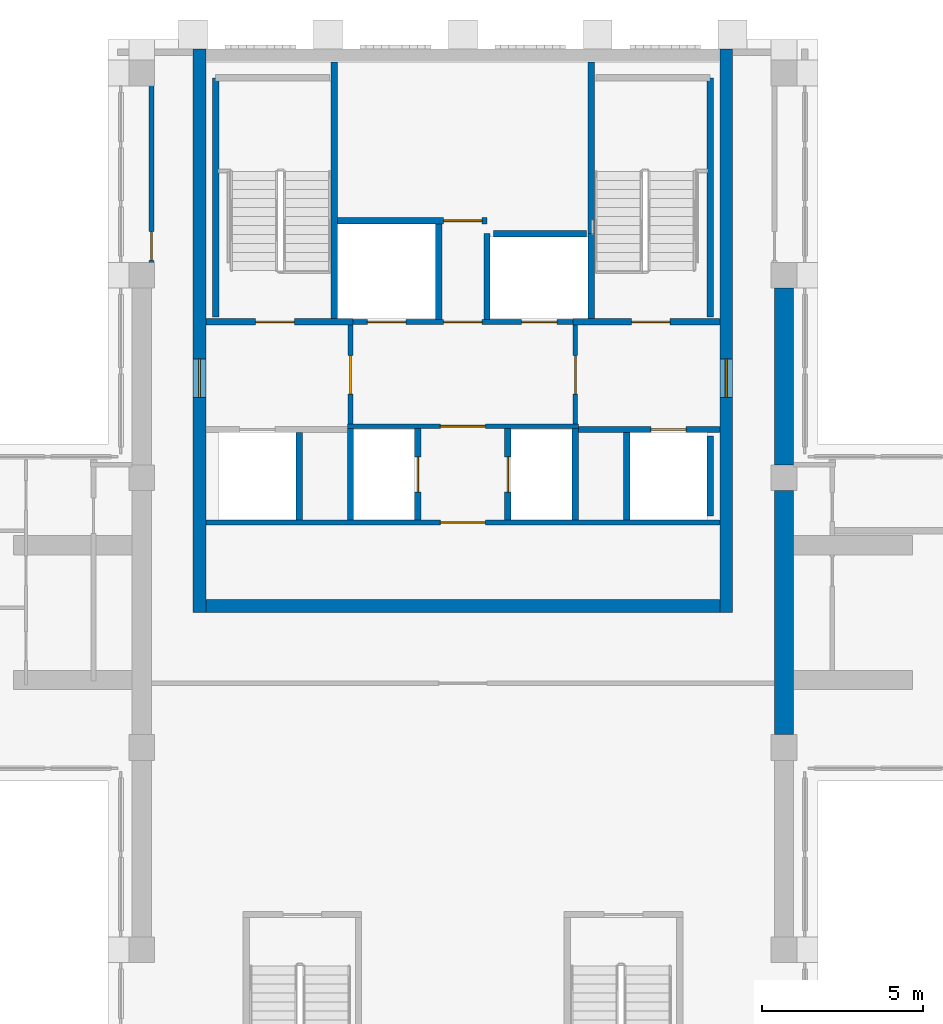
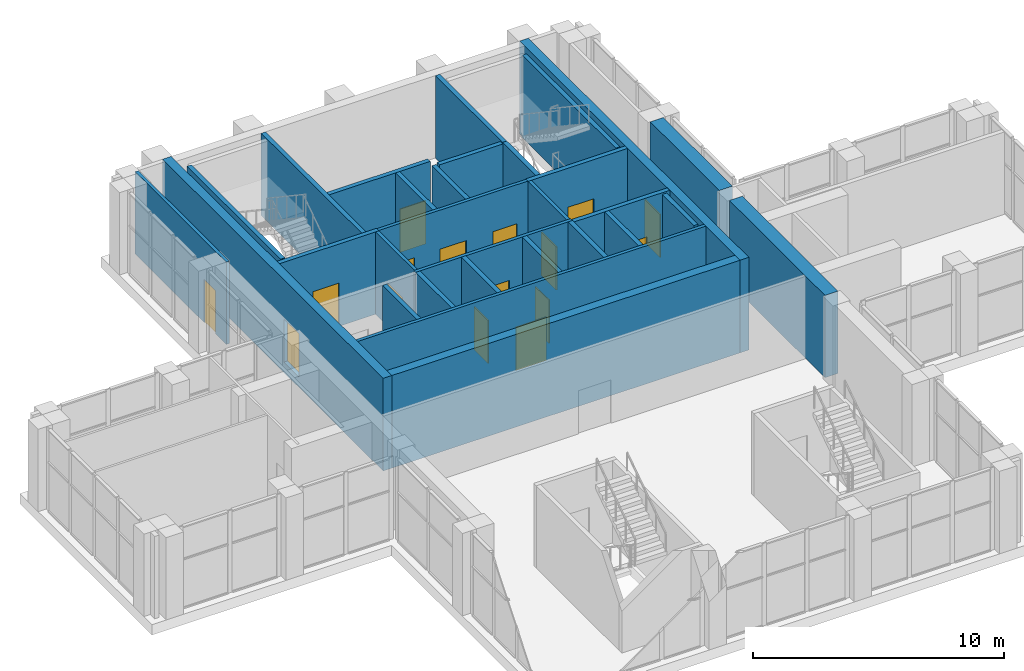
# One storey, part 10 of 15: 30 walls, 16 doors, 16 openings.
"""IFC4 building model written with IfcOpenShell, lengths in metres."""

from ifc_helpers import new_model, si_unit, direction, frame, frame_2d, origin, place, context, subcontext, project, spatial, rectangle, extrude, material, layer, layer_set, type_object, element, fill, save


model = new_model("IFC4")

# Units and contexts
model_context = context("Model", 3, precision=1e-05, world=origin(), true_north=direction((0.0, 1.0)))
body_context = subcontext(model_context, "Body", "Model", "MODEL_VIEW")
ifc_project = project(units=[si_unit("LENGTHUNIT", "METRE"), si_unit("AREAUNIT", "SQUARE_METRE"), si_unit("VOLUMEUNIT", "CUBIC_METRE"), si_unit("PLANEANGLEUNIT", "RADIAN"), si_unit("MASSUNIT", "GRAM", prefix="KILO")], contexts=[model_context])

# Site, building, storey
site_placement = place(None, origin())
site = spatial("IfcSite", under=ifc_project, at=site_placement, CompositionType="ELEMENT")
building_placement = place(site_placement, origin())
building = spatial("IfcBuilding", under=site, at=building_placement, Name="Vermilion Ogive Tower", CompositionType="ELEMENT")
storey_placement = place(building_placement, frame((0.0, 0.0, 293.85009765625)))
storey = spatial("IfcBuildingStorey", under=building, at=storey_placement, Name="L76", CompositionType="ELEMENT", Elevation=293.85009765625)

# Wall, opening, door
ifc_material_1 = material(Name="Concrete B60", Category="concrete")
ifc_layer_1 = layer(ifc_material_1, 0.39990234375)
ifc_layer_set_1 = layer_set([ifc_layer_1], Name="Core wall 400 B60")
wall_type_1 = type_object("IfcWallType", Name="Core wall 400 B60", PredefinedType="SHEAR", material=ifc_layer_set_1)
wall_1_placement = place(storey_placement, frame((8.199951171875, 4.199951171875, -0.5), z_axis=(0.0, 0.0, 1.0), x_axis=(0.0, 1.0, 0.0)))
wall_1 = element("IfcWall", 1, at=wall_1_placement, inside=storey, type_object=wall_type_1, Name="L76-CORE-E", PredefinedType="SHEAR", context=body_context, shape_type="SweptSolid", body=[
    extrude(rectangle(XDim=17.550048828125, YDim=0.39990234375, at=frame_2d((8.77490234375, 0.0))), origin(), (0.0, 0.0, 1.0), 4.5),
])
opening_1_placement = place(wall_1_placement, frame((6.699951171875, 0.0, 0.5)))
opening_1 = element("IfcOpeningElement", 2, at=opening_1_placement, cuts=wall_1, Name="Opening DAY006", PredefinedType="OPENING", context=body_context, shape_type="SweptSolid", body=[
    extrude(rectangle(XDim=1.199951171875, YDim=2.10009765625, at=frame_2d((0.60009765625, 1.050048828125))), frame((0.0, 0.2099609375, 0.0), z_axis=(0.0, -1.0, 0.0), x_axis=(1.0, 0.0, 0.0)), (0.0, 0.0, 1.0), 0.419921875),
])
ifc_material_2 = material(Name="Timber door leaf", Category="wood")
door_type_1 = type_object("IfcDoorType", Name="Link door 1200 x 2100 FD60S", OperationType="SINGLE_SWING_LEFT", PredefinedType="DOOR", material=ifc_material_2)
door_1_placement = place(opening_1_placement, origin())
door_1 = element("IfcDoor", 3, at=door_1_placement, inside=storey, type_object=door_type_1, Name="L76-CK-XD2", OperationType="SINGLE_SWING_LEFT", OverallHeight=2.10009765625, OverallWidth=1.199951171875, PredefinedType="DOOR", context=body_context, shape_type="SweptSolid", body=[
    extrude(rectangle(XDim=1.199951171875, YDim=2.10009765625, at=frame_2d((0.60009765625, 1.050048828125))), frame((0.0, 0.02490234375, 0.0), z_axis=(0.0, -1.0, 0.0), x_axis=(1.0, 0.0, 0.0)), (0.0, 0.0, 1.0), 0.050048828125),
])
fill(opening_1, door_1)

wall_2_placement = place(storey_placement, frame((-8.199951171875, 4.199951171875, -0.5), z_axis=(0.0, 0.0, 1.0), x_axis=(0.0, 1.0, 0.0)))
wall_2 = element("IfcWall", 4, at=wall_2_placement, inside=storey, type_object=wall_type_1, Name="L76-CORE-W", PredefinedType="SHEAR", context=body_context, shape_type="SweptSolid", body=[
    extrude(rectangle(XDim=17.550048828125, YDim=0.39990234375, at=frame_2d((8.77490234375, 0.0))), origin(), (0.0, 0.0, 1.0), 4.5),
])
opening_2_placement = place(wall_2_placement, frame((6.699951171875, 0.0, 0.5)))
opening_2 = element("IfcOpeningElement", 5, at=opening_2_placement, cuts=wall_2, Name="Opening DAZ006", PredefinedType="OPENING", context=body_context, shape_type="SweptSolid", body=[
    extrude(rectangle(XDim=1.199951171875, YDim=2.10009765625, at=frame_2d((0.60009765625, 1.050048828125))), frame((0.0, 0.2099609375, 0.0), z_axis=(0.0, -1.0, 0.0), x_axis=(1.0, 0.0, 0.0)), (0.0, 0.0, 1.0), 0.419921875),
])
door_2_placement = place(opening_2_placement, origin())
door_2 = element("IfcDoor", 6, at=door_2_placement, inside=storey, type_object=door_type_1, Name="L76-CK-XD1", OperationType="SINGLE_SWING_LEFT", OverallHeight=2.10009765625, OverallWidth=1.199951171875, PredefinedType="DOOR", context=body_context, shape_type="SweptSolid", body=[
    extrude(rectangle(XDim=1.199951171875, YDim=2.10009765625, at=frame_2d((0.60009765625, 1.050048828125))), frame((0.0, 0.02490234375, 0.0), z_axis=(0.0, -1.0, 0.0), x_axis=(1.0, 0.0, 0.0)), (0.0, 0.0, 1.0), 0.050048828125),
])
fill(opening_2, door_2)

# Wall
wall_3_placement = place(storey_placement, frame((-8.0, 4.39990234375, -0.5), z_axis=(0.0, 0.0, 1.0), x_axis=(1.0, 0.0, 0.0)))
element("IfcWall", 7, at=wall_3_placement, inside=storey, type_object=wall_type_1, Name="L76-CORE-S", PredefinedType="SHEAR", context=body_context, shape_type="SweptSolid", body=[
    extrude(rectangle(XDim=16.0, YDim=0.39990234375, at=frame_2d((8.0, 0.0))), origin(), (0.0, 0.0, 1.0), 4.5),
])

# Wall, opening, door
ifc_material_3 = material(Name="Gypsum board partition on steel studs", Category="steel")
ifc_layer_2 = layer(ifc_material_3, 0.14990234375)
ifc_layer_set_2 = layer_set([ifc_layer_2], Name="Partition 150 corridor")
wall_type_2 = type_object("IfcWallType", Name="Partition 150 corridor", PredefinedType="PARTITIONING", material=ifc_layer_set_2)
wall_4_placement = place(storey_placement, frame((-9.699951171875, 14.301025390625, 0.0), z_axis=(0.0, 0.0, 1.0), x_axis=(0.0, 1.0, 0.0)))
wall_4 = element("IfcWall", 8, at=wall_4_placement, inside=storey, type_object=wall_type_2, Name="L76-FS-W-W010", PredefinedType="PARTITIONING", context=body_context, shape_type="SweptSolid", body=[
    extrude(rectangle(XDim=7.2490234375, YDim=0.14990234375, at=frame_2d((3.62451171875, 0.0))), origin(), (0.0, 0.0, 1.0), 4.0),
])
opening_3_placement = place(wall_4_placement, frame((0.861572265625, 0.0, 0.0)))
opening_3 = element("IfcOpeningElement", 9, at=opening_3_placement, cuts=wall_4, Name="Opening L76S008", PredefinedType="OPENING", context=body_context, shape_type="SweptSolid", body=[
    extrude(rectangle(XDim=0.89990234375, YDim=2.10009765625, at=frame_2d((0.449951171875, 1.050048828125))), frame((0.0, 0.0849609375, 0.0), z_axis=(0.0, -1.0, 0.0), x_axis=(1.0, 0.0, 0.0)), (0.0, 0.0, 1.0), 0.169921875),
])
ifc_material_4 = material(Name="Timber door leaf", Category="wood")
door_type_2 = type_object("IfcDoorType", Name="Room door 900 x 2100 FD30", OperationType="SINGLE_SWING_LEFT", PredefinedType="DOOR", material=ifc_material_4)
door_3_placement = place(opening_3_placement, origin())
door_3 = element("IfcDoor", 10, at=door_3_placement, inside=storey, type_object=door_type_2, Name="L76-FS-D-D008", OperationType="SINGLE_SWING_LEFT", OverallHeight=2.10009765625, OverallWidth=0.89990234375, PredefinedType="DOOR", context=body_context, shape_type="SweptSolid", body=[
    extrude(rectangle(XDim=0.89990234375, YDim=2.10009765625, at=frame_2d((0.449951171875, 1.050048828125))), frame((0.0, 0.02490234375, 0.0), z_axis=(0.0, -1.0, 0.0), x_axis=(1.0, 0.0, 0.0)), (0.0, 0.0, 1.0), 0.050048828125),
])
fill(opening_3, door_3)

wall_5_placement = place(storey_placement, frame((-7.9990234375, 7.0, 0.0), z_axis=(0.0, 0.0, 1.0), x_axis=(1.0, 0.0, 0.0)))
wall_5 = element("IfcWall", 11, at=wall_5_placement, inside=storey, type_object=wall_type_2, Name="L76-CK-W-W001", PredefinedType="PARTITIONING", context=body_context, shape_type="SweptSolid", body=[
    extrude(rectangle(XDim=15.998046875, YDim=0.14990234375, at=frame_2d((7.9990234375, 0.0))), origin(), (0.0, 0.0, 1.0), 4.0),
])
opening_4_placement = place(wall_5_placement, frame((7.299072265625, 0.0, 0.0)))
opening_4 = element("IfcOpeningElement", 12, at=opening_4_placement, cuts=wall_5, Name="Opening DAE071", PredefinedType="OPENING", context=body_context, shape_type="SweptSolid", body=[
    extrude(rectangle(XDim=1.39990234375, YDim=2.10009765625, at=frame_2d((0.699951171875, 1.050048828125))), frame((0.0, 0.0849609375, 0.0), z_axis=(0.0, -1.0, 0.0), x_axis=(1.0, 0.0, 0.0)), (0.0, 0.0, 1.0), 0.169921875),
])
ifc_material_5 = material(Name="Timber door leaf", Category="wood")
door_type_3 = type_object("IfcDoorType", Name="Lobby door 1400 x 2100 FD60S", OperationType="SINGLE_SWING_LEFT", PredefinedType="DOOR", material=ifc_material_5)
door_4_placement = place(opening_4_placement, origin())
door_4 = element("IfcDoor", 13, at=door_4_placement, inside=storey, type_object=door_type_3, Name="L76-CK-D-D005", OperationType="SINGLE_SWING_RIGHT", OverallHeight=2.10009765625, OverallWidth=1.39990234375, PredefinedType="DOOR", context=body_context, shape_type="SweptSolid", body=[
    extrude(rectangle(XDim=1.39990234375, YDim=2.10009765625, at=frame_2d((0.699951171875, 1.050048828125))), frame((0.0, 0.02490234375, 0.0), z_axis=(0.0, -1.0, 0.0), x_axis=(1.0, 0.0, 0.0)), (0.0, 0.0, 1.0), 0.050048828125),
])
fill(opening_4, door_4)

wall_6_placement = place(storey_placement, frame((-3.60009765625, 10.0, 0.0), z_axis=(0.0, 0.0, 1.0), x_axis=(1.0, 0.0, 0.0)))
wall_6 = element("IfcWall", 14, at=wall_6_placement, inside=storey, type_object=wall_type_2, Name="L76-CK-W-W004", PredefinedType="PARTITIONING", context=body_context, shape_type="SweptSolid", body=[
    extrude(rectangle(XDim=7.2001953125, YDim=0.14990234375, at=frame_2d((3.60009765625, 0.0))), origin(), (0.0, 0.0, 1.0), 4.0),
])
opening_5_placement = place(wall_6_placement, frame((2.900146484375, 0.0, 0.0)))
opening_5 = element("IfcOpeningElement", 15, at=opening_5_placement, cuts=wall_6, Name="Opening DAE072", PredefinedType="OPENING", context=body_context, shape_type="SweptSolid", body=[
    extrude(rectangle(XDim=1.39990234375, YDim=2.10009765625, at=frame_2d((0.699951171875, 1.050048828125))), frame((0.0, 0.0849609375, 0.0), z_axis=(0.0, -1.0, 0.0), x_axis=(1.0, 0.0, 0.0)), (0.0, 0.0, 1.0), 0.169921875),
])
door_5_placement = place(opening_5_placement, origin())
door_5 = element("IfcDoor", 16, at=door_5_placement, inside=storey, type_object=door_type_3, Name="L76-CK-D-D006", OperationType="SINGLE_SWING_RIGHT", OverallHeight=2.10009765625, OverallWidth=1.39990234375, PredefinedType="DOOR", context=body_context, shape_type="SweptSolid", body=[
    extrude(rectangle(XDim=1.39990234375, YDim=2.10009765625, at=frame_2d((0.699951171875, 1.050048828125))), frame((0.0, 0.02490234375, 0.0), z_axis=(0.0, -1.0, 0.0), x_axis=(1.0, 0.0, 0.0)), (0.0, 0.0, 1.0), 0.050048828125),
])
fill(opening_5, door_5)

# Wall, openings, doors
wall_7_placement = place(storey_placement, frame((-3.574951171875, 13.25, 0.0), z_axis=(0.0, 0.0, 1.0), x_axis=(1.0, 0.0, 0.0)))
wall_7 = element("IfcWall", 17, at=wall_7_placement, inside=storey, type_object=wall_type_2, Name="L76-CK-W-W006", PredefinedType="PARTITIONING", context=body_context, shape_type="SweptSolid", body=[
    extrude(rectangle(XDim=7.14990234375, YDim=0.14990234375, at=frame_2d((3.574951171875, 0.0))), origin(), (0.0, 0.0, 1.0), 4.0),
])
opening_6_placement = place(wall_7_placement, frame((0.599853515625, 0.0, 0.0)))
opening_6 = element("IfcOpeningElement", 18, at=opening_6_placement, cuts=wall_7, Name="Opening DAE082", PredefinedType="OPENING", context=body_context, shape_type="SweptSolid", body=[
    extrude(rectangle(XDim=1.199951171875, YDim=2.10009765625, at=frame_2d((0.60009765625, 1.050048828125))), frame((0.0, 0.0849609375, 0.0), z_axis=(0.0, -1.0, 0.0), x_axis=(1.0, 0.0, 0.0)), (0.0, 0.0, 1.0), 0.169921875),
])
opening_7_placement = place(wall_7_placement, frame((5.39990234375, 0.0, 0.0)))
opening_7 = element("IfcOpeningElement", 19, at=opening_7_placement, cuts=wall_7, Name="Opening DAE081", PredefinedType="OPENING", context=body_context, shape_type="SweptSolid", body=[
    extrude(rectangle(XDim=1.10009765625, YDim=2.10009765625, at=frame_2d((0.550048828125, 1.050048828125))), frame((0.0, 0.0849609375, 0.0), z_axis=(0.0, -1.0, 0.0), x_axis=(1.0, 0.0, 0.0)), (0.0, 0.0, 1.0), 0.169921875),
])
opening_8_placement = place(wall_7_placement, frame((2.974853515625, 0.0, 0.0)))
opening_8 = element("IfcOpeningElement", 20, at=opening_8_placement, cuts=wall_7, Name="Opening DAE073", PredefinedType="OPENING", context=body_context, shape_type="SweptSolid", body=[
    extrude(rectangle(XDim=1.199951171875, YDim=2.10009765625, at=frame_2d((0.60009765625, 1.050048828125))), frame((0.0, 0.0849609375, 0.0), z_axis=(0.0, -1.0, 0.0), x_axis=(1.0, 0.0, 0.0)), (0.0, 0.0, 1.0), 0.169921875),
])
ifc_material_6 = material(Name="Stainless steel", Category="steel")
door_type_4 = type_object("IfcDoorType", Name="Lift landing door 1100 x 2100", OperationType="SLIDING_TO_LEFT", PredefinedType="DOOR", material=ifc_material_6)
door_6_placement = place(opening_7_placement, origin())
door_6 = element("IfcDoor", 21, at=door_6_placement, inside=storey, type_object=door_type_4, Name="L76-CK-D-D010", OperationType="SLIDING_TO_LEFT", OverallHeight=2.10009765625, OverallWidth=1.10009765625, PredefinedType="DOOR", context=body_context, shape_type="SweptSolid", body=[
    extrude(rectangle(XDim=1.10009765625, YDim=2.10009765625, at=frame_2d((0.550048828125, 1.050048828125))), frame((0.0, 0.02490234375, 0.0), z_axis=(0.0, -1.0, 0.0), x_axis=(1.0, 0.0, 0.0)), (0.0, 0.0, 1.0), 0.050048828125),
])
fill(opening_7, door_6)
ifc_material_7 = material(Name="Stainless steel", Category="steel")
door_type_5 = type_object("IfcDoorType", Name="Lift landing door 1200 x 2100", OperationType="SLIDING_TO_LEFT", PredefinedType="DOOR", material=ifc_material_7)
door_7_placement = place(opening_6_placement, origin())
door_7 = element("IfcDoor", 22, at=door_7_placement, inside=storey, type_object=door_type_5, Name="L76-CK-D-D009", OperationType="SLIDING_TO_RIGHT", OverallHeight=2.10009765625, OverallWidth=1.199951171875, PredefinedType="DOOR", context=body_context, shape_type="SweptSolid", body=[
    extrude(rectangle(XDim=1.199951171875, YDim=2.10009765625, at=frame_2d((0.60009765625, 1.050048828125))), frame((0.0, 0.02490234375, 0.0), z_axis=(0.0, -1.0, 0.0), x_axis=(1.0, 0.0, 0.0)), (0.0, 0.0, 1.0), 0.050048828125),
])
fill(opening_6, door_7)
ifc_material_8 = material(Name="Timber door leaf", Category="wood")
door_type_6 = type_object("IfcDoorType", Name="Service door 1200 x 2100 FD60", OperationType="SINGLE_SWING_LEFT", PredefinedType="DOOR", material=ifc_material_8)
door_8_placement = place(opening_8_placement, origin())
door_8 = element("IfcDoor", 23, at=door_8_placement, inside=storey, type_object=door_type_6, Name="L76-CK-D-D011", OperationType="SINGLE_SWING_RIGHT", OverallHeight=2.10009765625, OverallWidth=1.199951171875, PredefinedType="DOOR", context=body_context, shape_type="SweptSolid", body=[
    extrude(rectangle(XDim=1.199951171875, YDim=2.10009765625, at=frame_2d((0.60009765625, 1.050048828125))), frame((0.0, 0.02490234375, 0.0), z_axis=(0.0, -1.0, 0.0), x_axis=(1.0, 0.0, 0.0)), (0.0, 0.0, 1.0), 0.050048828125),
])
fill(opening_8, door_8)

# Wall, opening, door
wall_8_placement = place(storey_placement, frame((-3.5, 10.074951171875, 0.0), z_axis=(0.0, 0.0, 1.0), x_axis=(0.0, 1.0, 0.0)))
wall_8 = element("IfcWall", 24, at=wall_8_placement, inside=storey, type_object=wall_type_2, Name="L76-CK-W-W012", PredefinedType="PARTITIONING", context=body_context, shape_type="SweptSolid", body=[
    extrude(rectangle(XDim=3.074951171875, YDim=0.14990234375, at=frame_2d((1.53759765625, 0.0))), origin(), (0.0, 0.0, 1.0), 4.0),
])
opening_9_placement = place(wall_8_placement, frame((0.925048828125, 0.0, 0.0)))
opening_9 = element("IfcOpeningElement", 25, at=opening_9_placement, cuts=wall_8, Name="Opening DAE069", PredefinedType="OPENING", context=body_context, shape_type="SweptSolid", body=[
    extrude(rectangle(XDim=1.199951171875, YDim=2.10009765625, at=frame_2d((0.60009765625, 1.050048828125))), frame((0.0, 0.0849609375, 0.0), z_axis=(0.0, -1.0, 0.0), x_axis=(1.0, 0.0, 0.0)), (0.0, 0.0, 1.0), 0.169921875),
])
ifc_material_9 = material(Name="Timber door leaf", Category="wood")
door_type_7 = type_object("IfcDoorType", Name="Lobby door 1200 x 2100 FD60S", OperationType="SINGLE_SWING_LEFT", PredefinedType="DOOR", material=ifc_material_9)
door_9_placement = place(opening_9_placement, origin())
door_9 = element("IfcDoor", 26, at=door_9_placement, inside=storey, type_object=door_type_7, Name="L76-CK-D-D013", OperationType="SINGLE_SWING_RIGHT", OverallHeight=2.10009765625, OverallWidth=1.199951171875, PredefinedType="DOOR", context=body_context, shape_type="SweptSolid", body=[
    extrude(rectangle(XDim=1.199951171875, YDim=2.10009765625, at=frame_2d((0.60009765625, 1.050048828125))), frame((0.0, 0.02490234375, 0.0), z_axis=(0.0, -1.0, 0.0), x_axis=(1.0, 0.0, 0.0)), (0.0, 0.0, 1.0), 0.050048828125),
])
fill(opening_9, door_9)

wall_9_placement = place(storey_placement, frame((3.5, 10.074951171875, 0.0), z_axis=(0.0, 0.0, 1.0), x_axis=(0.0, 1.0, 0.0)))
wall_9 = element("IfcWall", 27, at=wall_9_placement, inside=storey, type_object=wall_type_2, Name="L76-CK-W-W018", PredefinedType="PARTITIONING", context=body_context, shape_type="SweptSolid", body=[
    extrude(rectangle(XDim=3.074951171875, YDim=0.14990234375, at=frame_2d((1.53759765625, 0.0))), origin(), (0.0, 0.0, 1.0), 4.0),
])
opening_10_placement = place(wall_9_placement, frame((0.925048828125, 0.0, 0.0)))
opening_10 = element("IfcOpeningElement", 28, at=opening_10_placement, cuts=wall_9, Name="Opening DAE070", PredefinedType="OPENING", context=body_context, shape_type="SweptSolid", body=[
    extrude(rectangle(XDim=1.199951171875, YDim=2.10009765625, at=frame_2d((0.60009765625, 1.050048828125))), frame((0.0, 0.0849609375, 0.0), z_axis=(0.0, -1.0, 0.0), x_axis=(1.0, 0.0, 0.0)), (0.0, 0.0, 1.0), 0.169921875),
])
door_10_placement = place(opening_10_placement, origin())
door_10 = element("IfcDoor", 29, at=door_10_placement, inside=storey, type_object=door_type_7, Name="L76-CK-D-D014", OperationType="SINGLE_SWING_LEFT", OverallHeight=2.10009765625, OverallWidth=1.199951171875, PredefinedType="DOOR", context=body_context, shape_type="SweptSolid", body=[
    extrude(rectangle(XDim=1.199951171875, YDim=2.10009765625, at=frame_2d((0.60009765625, 1.050048828125))), frame((0.0, 0.02490234375, 0.0), z_axis=(0.0, -1.0, 0.0), x_axis=(1.0, 0.0, 0.0)), (0.0, 0.0, 1.0), 0.050048828125),
])
fill(opening_10, door_10)

ifc_material_10 = material(Name="Gypsum board partition on steel studs", Category="steel")
ifc_layer_3 = layer(ifc_material_10, 0.199951171875)
ifc_layer_set_3 = layer_set([ifc_layer_3], Name="Partition 200 party")
wall_type_3 = type_object("IfcWallType", Name="Partition 200 party", PredefinedType="PARTITIONING", material=ifc_layer_set_3)
wall_10_placement = place(storey_placement, frame((3.60009765625, 9.89990234375, 0.0), z_axis=(0.0, 0.0, 1.0), x_axis=(1.0, 0.0, 0.0)))
wall_10 = element("IfcWall", 30, at=wall_10_placement, inside=storey, type_object=wall_type_3, Name="L76-CK-W-W003", PredefinedType="PARTITIONING", context=body_context, shape_type="SweptSolid", body=[
    extrude(rectangle(XDim=4.39892578125, YDim=0.199951171875, at=frame_2d((2.199462890625, 0.0))), origin(), (0.0, 0.0, 1.0), 4.0),
])
opening_11_placement = place(wall_10_placement, frame((2.25, 0.0, 0.0)))
opening_11 = element("IfcOpeningElement", 31, at=opening_11_placement, cuts=wall_10, Name="Opening DAE078", PredefinedType="OPENING", context=body_context, shape_type="SweptSolid", body=[
    extrude(rectangle(XDim=1.10009765625, YDim=2.10009765625, at=frame_2d((0.550048828125, 1.050048828125))), frame((0.0, 0.10986328125, 0.0), z_axis=(0.0, -1.0, 0.0), x_axis=(1.0, 0.0, 0.0)), (0.0, 0.0, 1.0), 0.219970703125),
])
door_11_placement = place(opening_11_placement, origin())
door_11 = element("IfcDoor", 32, at=door_11_placement, inside=storey, type_object=door_type_4, Name="L76-CK-D-D004", OperationType="SLIDING_TO_LEFT", OverallHeight=2.10009765625, OverallWidth=1.10009765625, PredefinedType="DOOR", context=body_context, shape_type="SweptSolid", body=[
    extrude(rectangle(XDim=1.10009765625, YDim=2.10009765625, at=frame_2d((0.550048828125, 1.050048828125))), frame((0.0, 0.02490234375, 0.0), z_axis=(0.0, -1.0, 0.0), x_axis=(1.0, 0.0, 0.0)), (0.0, 0.0, 1.0), 0.050048828125),
])
fill(opening_11, door_11)

wall_11_placement = place(storey_placement, frame((-3.89990234375, 16.39990234375, 0.0), z_axis=(0.0, 0.0, 1.0), x_axis=(1.0, 0.0, 0.0)))
wall_11 = element("IfcWall", 33, at=wall_11_placement, inside=storey, type_object=wall_type_3, Name="L76-CK-W-W008", PredefinedType="PARTITIONING", context=body_context, shape_type="SweptSolid", body=[
    extrude(rectangle(XDim=4.64990234375, YDim=0.199951171875, at=frame_2d((2.324951171875, 0.0))), origin(), (0.0, 0.0, 1.0), 4.0),
])
opening_12_placement = place(wall_11_placement, frame((3.2998046875, 0.0, 0.0)))
opening_12 = element("IfcOpeningElement", 34, at=opening_12_placement, cuts=wall_11, Name="Opening DAE074", PredefinedType="OPENING", context=body_context, shape_type="SweptSolid", body=[
    extrude(rectangle(XDim=1.199951171875, YDim=2.10009765625, at=frame_2d((0.60009765625, 1.050048828125))), frame((0.0, 0.10986328125, 0.0), z_axis=(0.0, -1.0, 0.0), x_axis=(1.0, 0.0, 0.0)), (0.0, 0.0, 1.0), 0.219970703125),
])
door_12_placement = place(opening_12_placement, origin())
door_12 = element("IfcDoor", 35, at=door_12_placement, inside=storey, type_object=door_type_6, Name="L76-CK-D-D012", OperationType="SINGLE_SWING_RIGHT", OverallHeight=2.10009765625, OverallWidth=1.199951171875, PredefinedType="DOOR", context=body_context, shape_type="SweptSolid", body=[
    extrude(rectangle(XDim=1.199951171875, YDim=2.10009765625, at=frame_2d((0.60009765625, 1.050048828125))), frame((0.0, 0.02490234375, 0.0), z_axis=(0.0, -1.0, 0.0), x_axis=(1.0, 0.0, 0.0)), (0.0, 0.0, 1.0), 0.050048828125),
])
fill(opening_12, door_12)

# Walls
wall_12_placement = place(storey_placement, frame((-5.10009765625, 7.074951171875, 0.0), z_axis=(0.0, 0.0, 1.0), x_axis=(0.0, 1.0, 0.0)))
element("IfcWall", 36, at=wall_12_placement, inside=storey, type_object=wall_type_3, Name="L76-CK-W-W009", PredefinedType="PARTITIONING", context=body_context, shape_type="SweptSolid", body=[
    extrude(rectangle(XDim=2.72509765625, YDim=0.199951171875, at=frame_2d((1.362548828125, 0.0))), origin(), (0.0, 0.0, 1.0), 4.0),
])
wall_13_placement = place(storey_placement, frame((-3.5, 7.074951171875, 0.0), z_axis=(0.0, 0.0, 1.0), x_axis=(0.0, 1.0, 0.0)))
element("IfcWall", 37, at=wall_13_placement, inside=storey, type_object=wall_type_3, Name="L76-CK-W-W011", PredefinedType="PARTITIONING", context=body_context, shape_type="SweptSolid", body=[
    extrude(rectangle(XDim=2.85009765625, YDim=0.199951171875, at=frame_2d((1.425048828125, 0.0))), origin(), (0.0, 0.0, 1.0), 4.0),
])

# Wall, opening, door
wall_14_placement = place(storey_placement, frame((-1.39990234375, 7.074951171875, 0.0), z_axis=(0.0, 0.0, 1.0), x_axis=(0.0, 1.0, 0.0)))
wall_14 = element("IfcWall", 38, at=wall_14_placement, inside=storey, type_object=wall_type_3, Name="L76-CK-W-W013", PredefinedType="PARTITIONING", context=body_context, shape_type="SweptSolid", body=[
    extrude(rectangle(XDim=2.85009765625, YDim=0.199951171875, at=frame_2d((1.425048828125, 0.0))), origin(), (0.0, 0.0, 1.0), 4.0),
])
opening_13_placement = place(wall_14_placement, frame((0.875, 0.0, 0.0)))
opening_13 = element("IfcOpeningElement", 39, at=opening_13_placement, cuts=wall_14, Name="Opening DAE079", PredefinedType="OPENING", context=body_context, shape_type="SweptSolid", body=[
    extrude(rectangle(XDim=1.10009765625, YDim=2.10009765625, at=frame_2d((0.550048828125, 1.050048828125))), frame((0.0, 0.10986328125, 0.0), z_axis=(0.0, -1.0, 0.0), x_axis=(1.0, 0.0, 0.0)), (0.0, 0.0, 1.0), 0.219970703125),
])
door_13_placement = place(opening_13_placement, origin())
door_13 = element("IfcDoor", 40, at=door_13_placement, inside=storey, type_object=door_type_4, Name="L76-CK-D-D007", OperationType="SLIDING_TO_RIGHT", OverallHeight=2.10009765625, OverallWidth=1.10009765625, PredefinedType="DOOR", context=body_context, shape_type="SweptSolid", body=[
    extrude(rectangle(XDim=1.10009765625, YDim=2.10009765625, at=frame_2d((0.550048828125, 1.050048828125))), frame((0.0, 0.02490234375, 0.0), z_axis=(0.0, -1.0, 0.0), x_axis=(1.0, 0.0, 0.0)), (0.0, 0.0, 1.0), 0.050048828125),
])
fill(opening_13, door_13)

# Walls
wall_15_placement = place(storey_placement, frame((-0.75, 13.324951171875, 0.0), z_axis=(0.0, 0.0, 1.0), x_axis=(0.0, 1.0, 0.0)))
element("IfcWall", 41, at=wall_15_placement, inside=storey, type_object=wall_type_3, Name="L76-CK-W-W014", PredefinedType="PARTITIONING", context=body_context, shape_type="SweptSolid", body=[
    extrude(rectangle(XDim=2.97509765625, YDim=0.199951171875, at=frame_2d((1.487548828125, 0.0))), origin(), (0.0, 0.0, 1.0), 4.0),
])
wall_16_placement = place(storey_placement, frame((0.75, 13.324951171875, 0.0), z_axis=(0.0, 0.0, 1.0), x_axis=(0.0, 1.0, 0.0)))
element("IfcWall", 42, at=wall_16_placement, inside=storey, type_object=wall_type_3, Name="L76-CK-W-W015", PredefinedType="PARTITIONING", context=body_context, shape_type="SweptSolid", body=[
    extrude(rectangle(XDim=2.675048828125, YDim=0.199951171875, at=frame_2d((1.33740234375, 0.0))), origin(), (0.0, 0.0, 1.0), 4.0),
])

# Wall, opening, door
wall_17_placement = place(storey_placement, frame((1.39990234375, 7.074951171875, 0.0), z_axis=(0.0, 0.0, 1.0), x_axis=(0.0, 1.0, 0.0)))
wall_17 = element("IfcWall", 43, at=wall_17_placement, inside=storey, type_object=wall_type_3, Name="L76-CK-W-W016", PredefinedType="PARTITIONING", context=body_context, shape_type="SweptSolid", body=[
    extrude(rectangle(XDim=2.85009765625, YDim=0.199951171875, at=frame_2d((1.425048828125, 0.0))), origin(), (0.0, 0.0, 1.0), 4.0),
])
opening_14_placement = place(wall_17_placement, frame((0.875, 0.0, 0.0)))
opening_14 = element("IfcOpeningElement", 44, at=opening_14_placement, cuts=wall_17, Name="Opening DAE080", PredefinedType="OPENING", context=body_context, shape_type="SweptSolid", body=[
    extrude(rectangle(XDim=1.10009765625, YDim=2.10009765625, at=frame_2d((0.550048828125, 1.050048828125))), frame((0.0, 0.10986328125, 0.0), z_axis=(0.0, -1.0, 0.0), x_axis=(1.0, 0.0, 0.0)), (0.0, 0.0, 1.0), 0.219970703125),
])
door_14_placement = place(opening_14_placement, origin())
door_14 = element("IfcDoor", 45, at=door_14_placement, inside=storey, type_object=door_type_4, Name="L76-CK-D-D008", OperationType="SLIDING_TO_RIGHT", OverallHeight=2.10009765625, OverallWidth=1.10009765625, PredefinedType="DOOR", context=body_context, shape_type="SweptSolid", body=[
    extrude(rectangle(XDim=1.10009765625, YDim=2.10009765625, at=frame_2d((0.550048828125, 1.050048828125))), frame((0.0, 0.02490234375, 0.0), z_axis=(0.0, -1.0, 0.0), x_axis=(1.0, 0.0, 0.0)), (0.0, 0.0, 1.0), 0.050048828125),
])
fill(opening_14, door_14)

# Walls
wall_18_placement = place(storey_placement, frame((3.5, 7.074951171875, 0.0), z_axis=(0.0, 0.0, 1.0), x_axis=(0.0, 1.0, 0.0)))
element("IfcWall", 46, at=wall_18_placement, inside=storey, type_object=wall_type_3, Name="L76-CK-W-W017", PredefinedType="PARTITIONING", context=body_context, shape_type="SweptSolid", body=[
    extrude(rectangle(XDim=2.85009765625, YDim=0.199951171875, at=frame_2d((1.425048828125, 0.0))), origin(), (0.0, 0.0, 1.0), 4.0),
])
wall_19_placement = place(storey_placement, frame((5.10009765625, 7.074951171875, 0.0), z_axis=(0.0, 0.0, 1.0), x_axis=(0.0, 1.0, 0.0)))
element("IfcWall", 47, at=wall_19_placement, inside=storey, type_object=wall_type_3, Name="L76-CK-W-W021", PredefinedType="PARTITIONING", context=body_context, shape_type="SweptSolid", body=[
    extrude(rectangle(XDim=2.72509765625, YDim=0.199951171875, at=frame_2d((1.362548828125, 0.0))), origin(), (0.0, 0.0, 1.0), 4.0),
])

# Wall, opening, door
ifc_material_11 = material(Name="Concrete B60", Category="concrete")
ifc_layer_4 = layer(ifc_material_11, 0.199951171875)
ifc_layer_set_4 = layer_set([ifc_layer_4], Name="Stair shaft wall 200 Concrete B60")
wall_type_4 = type_object("IfcWallType", Name="Stair shaft wall 200 Concrete B60", PredefinedType="SOLIDWALL", material=ifc_layer_set_4)
wall_20_placement = place(storey_placement, frame((-7.9990234375, 13.25, 0.0), z_axis=(0.0, 0.0, 1.0), x_axis=(1.0, 0.0, 0.0)))
wall_20 = element("IfcWall", 48, at=wall_20_placement, inside=storey, type_object=wall_type_4, Name="L76-CK-W-W005", PredefinedType="SOLIDWALL", context=body_context, shape_type="SweptSolid", body=[
    extrude(rectangle(XDim=4.573974609375, YDim=0.199951171875, at=frame_2d((2.287109375, 0.0))), origin(), (0.0, 0.0, 1.0), 4.0),
])
opening_15_placement = place(wall_20_placement, frame((1.549072265625, 0.0, 0.0)))
opening_15 = element("IfcOpeningElement", 49, at=opening_15_placement, cuts=wall_20, Name="Opening DAE075", PredefinedType="OPENING", context=body_context, shape_type="SweptSolid", body=[
    extrude(rectangle(XDim=1.199951171875, YDim=2.10009765625, at=frame_2d((0.60009765625, 1.050048828125))), frame((0.0, 0.10986328125, 0.0), z_axis=(0.0, -1.0, 0.0), x_axis=(1.0, 0.0, 0.0)), (0.0, 0.0, 1.0), 0.219970703125),
])
ifc_material_12 = material(Name="Timber door leaf", Category="wood")
door_type_8 = type_object("IfcDoorType", Name="Stair door 1200 x 2100 FD60S", OperationType="SINGLE_SWING_LEFT", PredefinedType="DOOR", material=ifc_material_12)
door_15_placement = place(opening_15_placement, origin())
door_15 = element("IfcDoor", 50, at=door_15_placement, inside=storey, type_object=door_type_8, Name="L76-CK-D-D001", OperationType="SINGLE_SWING_LEFT", OverallHeight=2.10009765625, OverallWidth=1.199951171875, PredefinedType="DOOR", context=body_context, shape_type="SweptSolid", body=[
    extrude(rectangle(XDim=1.199951171875, YDim=2.10009765625, at=frame_2d((0.60009765625, 1.050048828125))), frame((0.0, 0.02490234375, 0.0), z_axis=(0.0, -1.0, 0.0), x_axis=(1.0, 0.0, 0.0)), (0.0, 0.0, 1.0), 0.050048828125),
])
fill(opening_15, door_15)

wall_21_placement = place(storey_placement, frame((3.425048828125, 13.25, 0.0), z_axis=(0.0, 0.0, 1.0), x_axis=(1.0, 0.0, 0.0)))
wall_21 = element("IfcWall", 51, at=wall_21_placement, inside=storey, type_object=wall_type_4, Name="L76-CK-W-W007", PredefinedType="SOLIDWALL", context=body_context, shape_type="SweptSolid", body=[
    extrude(rectangle(XDim=4.573974609375, YDim=0.199951171875, at=frame_2d((2.287109375, 0.0))), origin(), (0.0, 0.0, 1.0), 4.0),
])
opening_16_placement = place(wall_21_placement, frame((1.824951171875, 0.0, 0.0)))
opening_16 = element("IfcOpeningElement", 52, at=opening_16_placement, cuts=wall_21, Name="Opening DAE076", PredefinedType="OPENING", context=body_context, shape_type="SweptSolid", body=[
    extrude(rectangle(XDim=1.199951171875, YDim=2.10009765625, at=frame_2d((0.60009765625, 1.050048828125))), frame((0.0, 0.10986328125, 0.0), z_axis=(0.0, -1.0, 0.0), x_axis=(1.0, 0.0, 0.0)), (0.0, 0.0, 1.0), 0.219970703125),
])
door_16_placement = place(opening_16_placement, origin())
door_16 = element("IfcDoor", 53, at=door_16_placement, inside=storey, type_object=door_type_8, Name="L76-CK-D-D003", OperationType="SINGLE_SWING_RIGHT", OverallHeight=2.10009765625, OverallWidth=1.199951171875, PredefinedType="DOOR", context=body_context, shape_type="SweptSolid", body=[
    extrude(rectangle(XDim=1.199951171875, YDim=2.10009765625, at=frame_2d((0.60009765625, 1.050048828125))), frame((0.0, 0.02490234375, 0.0), z_axis=(0.0, -1.0, 0.0), x_axis=(1.0, 0.0, 0.0)), (0.0, 0.0, 1.0), 0.050048828125),
])
fill(opening_16, door_16)

# Walls
wall_22_placement = place(storey_placement, frame((-4.0, 13.35009765625, 0.0), z_axis=(0.0, 0.0, 1.0), x_axis=(0.0, 1.0, 0.0)))
element("IfcWall", 54, at=wall_22_placement, inside=storey, type_object=wall_type_4, Name="L76-CK-W-W010", PredefinedType="SOLIDWALL", context=body_context, shape_type="SweptSolid", body=[
    extrude(rectangle(XDim=7.9990234375, YDim=0.199951171875, at=frame_2d((3.99951171875, 0.0))), origin(), (0.0, 0.0, 1.0), 4.0),
])
wall_23_placement = place(storey_placement, frame((4.0, 13.35009765625, 0.0), z_axis=(0.0, 0.0, 1.0), x_axis=(0.0, 1.0, 0.0)))
element("IfcWall", 55, at=wall_23_placement, inside=storey, type_object=wall_type_4, Name="L76-CK-W-W019", PredefinedType="SOLIDWALL", context=body_context, shape_type="SweptSolid", body=[
    extrude(rectangle(XDim=2.64990234375, YDim=0.199951171875, at=frame_2d((1.324951171875, 0.0))), origin(), (0.0, 0.0, 1.0), 4.0),
])
wall_24_placement = place(storey_placement, frame((4.0, 16.0, 0.0), z_axis=(0.0, 0.0, 1.0), x_axis=(0.0, 1.0, 0.0)))
element("IfcWall", 56, at=wall_24_placement, inside=storey, type_object=wall_type_4, Name="L76-CK-W-W020", PredefinedType="SOLIDWALL", context=body_context, shape_type="SweptSolid", body=[
    extrude(rectangle(XDim=5.34912109375, YDim=0.199951171875, at=frame_2d((2.674560546875, 0.0))), origin(), (0.0, 0.0, 1.0), 4.0),
])
for number, where, z_axis, x_axis, name in (
    (57, (-7.699951171875, 13.39990234375, 0.0), (0.0, 0.0, 1.0), (0.0, 1.0, 0.0), "L76-SW-R005-W1"),
    (58, (7.699951171875, 13.39990234375, 0.0), (0.0, 0.0, 1.0), (0.0, 1.0, 0.0), "L76-SW-R009-E1"),
):
    element("IfcWall", number, at=place(storey_placement, frame(where, z_axis=z_axis, x_axis=x_axis)), inside=storey, type_object=wall_type_4, Name=name, PredefinedType="SOLIDWALL", context=body_context, shape_type="SweptSolid", body=[
        extrude(rectangle(XDim=7.4501953125, YDim=0.199951171875, at=frame_2d((3.72509765625, 0.0))), origin(), (0.0, 0.0, 1.0), 4.0),
    ])
wall_25_placement = place(storey_placement, frame((7.699951171875, 9.699951171875, 0.0), z_axis=(0.0, 0.0, 1.0), x_axis=(0.0, -1.0, 0.0)))
element("IfcWall", 59, at=wall_25_placement, inside=storey, type_object=wall_type_4, Name="L76-CK-SH1-2", PredefinedType="SOLIDWALL", context=body_context, shape_type="SweptSolid", body=[
    extrude(rectangle(XDim=2.5, YDim=0.199951171875, at=frame_2d((1.25, 0.0))), origin(), (0.0, 0.0, 1.0), 4.0),
])
wall_26_placement = place(storey_placement, frame((0.949951171875, 16.0, 0.0), z_axis=(0.0, 0.0, 1.0), x_axis=(1.0, 0.0, 0.0)))
element("IfcWall", 60, at=wall_26_placement, inside=storey, type_object=wall_type_4, Name="L76-CK-SH4-3", PredefinedType="SOLIDWALL", context=body_context, shape_type="SweptSolid", body=[
    extrude(rectangle(XDim=2.900146484375, YDim=0.199951171875, at=frame_2d((1.4501953125, 0.0))), origin(), (0.0, 0.0, 1.0), 4.0),
])
ifc_material_13 = material(Name="Concrete B60", Category="concrete")
ifc_layer_5 = layer(ifc_material_13, 0.60009765625)
ifc_layer_set_5 = layer_set([ifc_layer_5], Name="Transfer wall 600 B60")
wall_type_5 = type_object("IfcWallType", Name="Transfer wall 600 B60", PredefinedType="SHEAR", material=ifc_layer_set_5)
wall_27_placement = place(storey_placement, frame((10.0, 0.39990234375, 0.0), z_axis=(0.0, 0.0, 1.0), x_axis=(0.0, 1.0, 0.0)))
element("IfcWall", 61, at=wall_27_placement, inside=storey, type_object=wall_type_5, Name="L76-TW-4", PredefinedType="SHEAR", context=body_context, shape_type="SweptSolid", body=[
    extrude(rectangle(XDim=7.60009765625, YDim=0.60009765625, at=frame_2d((3.800048828125, 0.0))), origin(), (0.0, 0.0, 1.0), 4.0),
])
wall_28_placement = place(storey_placement, frame((10.0, 8.800048828125, 0.0), z_axis=(0.0, 0.0, 1.0), x_axis=(0.0, 1.0, 0.0)))
element("IfcWall", 62, at=wall_28_placement, inside=storey, type_object=wall_type_5, Name="L76-TW-9", PredefinedType="SHEAR", context=body_context, shape_type="SweptSolid", body=[
    extrude(rectangle(XDim=5.5, YDim=0.60009765625, at=frame_2d((2.75, 0.0))), origin(), (0.0, 0.0, 1.0), 4.0),
])

save(model, "model.ifc")
